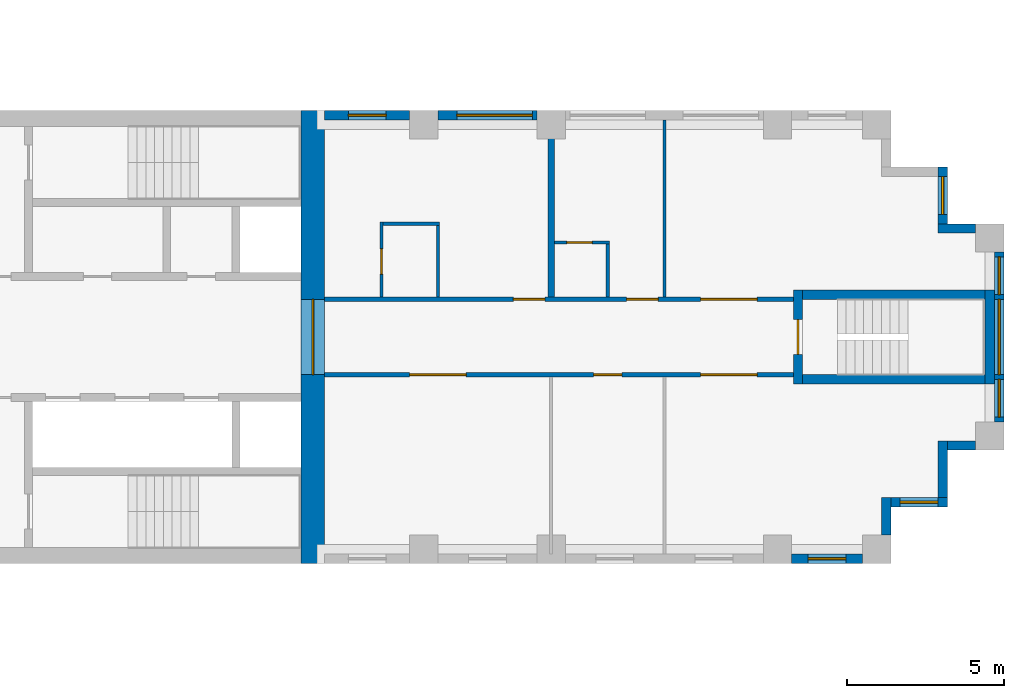
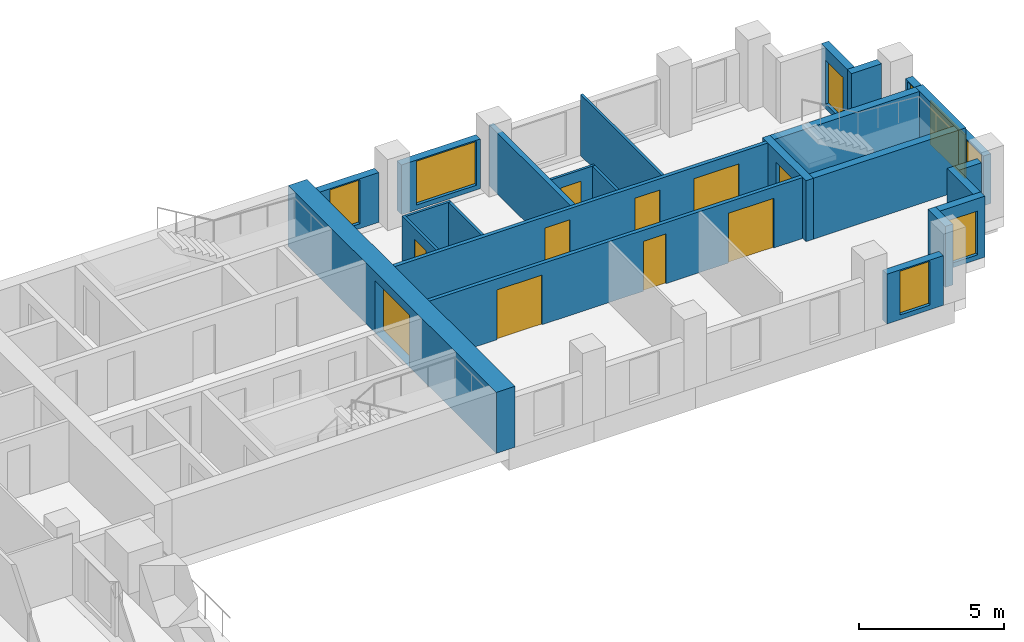
# One storey, part 10 of 13: 24 walls, 10 doors, 8 windows, 18 openings.
"""IFC4 building model written with IfcOpenShell, lengths in metres."""

from ifc_helpers import new_model, si_unit, direction, frame, frame_2d, origin, place, context, subcontext, project, spatial, rectangle, extrude, material, layer, layer_set, type_object, element, fill, save


model = new_model("IFC4")

# Units and contexts
model_context = context("Model", 3, precision=1e-05, world=origin(), true_north=direction((0.0, 1.0)))
body_context = subcontext(model_context, "Body", "Model", "MODEL_VIEW")
ifc_project = project(units=[si_unit("LENGTHUNIT", "METRE"), si_unit("AREAUNIT", "SQUARE_METRE"), si_unit("VOLUMEUNIT", "CUBIC_METRE"), si_unit("PLANEANGLEUNIT", "RADIAN"), si_unit("MASSUNIT", "GRAM", prefix="KILO")], contexts=[model_context])

# Site, building, storey
site_placement = place(None, origin())
site = spatial("IfcSite", under=ifc_project, at=site_placement, CompositionType="ELEMENT")
building_placement = place(site_placement, origin())
building = spatial("IfcBuilding", under=site, at=building_placement, Name="Fustian Cross Tower", CompositionType="ELEMENT")
storey_placement = place(building_placement, frame((0.0, 0.0, 87.89990234375)))
storey = spatial("IfcBuildingStorey", under=building, at=storey_placement, Name="L27", CompositionType="ELEMENT", Elevation=87.89990234375)

# Wall, openings, doors
ifc_material_1 = material(Name="Plasterboard on steel stud", Category="steel")
ifc_layer_1 = layer(ifc_material_1, 0.14990234375)
ifc_layer_set_1 = layer_set([ifc_layer_1], Name="Plasterboard on steel stud")
wall_type_1 = type_object("IfcWallType", Name="COMPARTMENT WALL 150 EI 60", PredefinedType="PARTITIONING", material=ifc_layer_set_1)
wall_1_placement = place(storey_placement, frame((21.60009765625, -1.199951171875, 0.0), z_axis=(0.0, 0.0, 1.0), x_axis=(1.0, 0.0, 0.0)))
wall_1 = element("IfcWall", 1, at=wall_1_placement, inside=storey, type_object=wall_type_1, Name="Partition 70", PredefinedType="PARTITIONING", context=body_context, shape_type="SweptSolid", body=[
    extrude(rectangle(XDim=14.89990234375, YDim=0.14990234375, at=frame_2d((7.449951171875, 0.0))), origin(), (0.0, 0.0, 1.0), 2.5751953125),
])
opening_1_placement = place(wall_1_placement, frame((2.699951171875, 0.0, 0.0)))
opening_1 = element("IfcOpeningElement", 2, at=opening_1_placement, cuts=wall_1, Name="Opening D13014", PredefinedType="OPENING", context=body_context, shape_type="SweptSolid", body=[
    extrude(rectangle(XDim=1.800048828125, YDim=2.10009765625, at=frame_2d((0.89990234375, 1.050048828125))), frame((0.0, 0.0849609375, 0.0), z_axis=(0.0, -1.0, 0.0), x_axis=(1.0, 0.0, 0.0)), (0.0, 0.0, 1.0), 0.169921875),
])
opening_2_placement = place(wall_1_placement, frame((8.550048828125, 0.0, 0.0)))
opening_2 = element("IfcOpeningElement", 3, at=opening_2_placement, cuts=wall_1, Name="Opening D13015", PredefinedType="OPENING", context=body_context, shape_type="SweptSolid", body=[
    extrude(rectangle(XDim=0.89990234375, YDim=2.10009765625, at=frame_2d((0.449951171875, 1.050048828125))), frame((0.0, 0.0849609375, 0.0), z_axis=(0.0, -1.0, 0.0), x_axis=(1.0, 0.0, 0.0)), (0.0, 0.0, 1.0), 0.169921875),
])
opening_3_placement = place(wall_1_placement, frame((11.949951171875, 0.0, 0.0)))
opening_3 = element("IfcOpeningElement", 4, at=opening_3_placement, cuts=wall_1, Name="Opening D13016", PredefinedType="OPENING", context=body_context, shape_type="SweptSolid", body=[
    extrude(rectangle(XDim=1.800048828125, YDim=2.10009765625, at=frame_2d((0.89990234375, 1.050048828125))), frame((0.0, 0.0849609375, 0.0), z_axis=(0.0, -1.0, 0.0), x_axis=(1.0, 0.0, 0.0)), (0.0, 0.0, 1.0), 0.169921875),
])
ifc_material_2 = material(Name="Timber fire door set", Category="wood")
door_type_1 = type_object("IfcDoorType", Name="FIRE DOUBLE DOOR 1800 FD30S", OperationType="DOUBLE_DOOR_DOUBLE_SWING", PredefinedType="DOOR", material=ifc_material_2)
door_1_placement = place(opening_1_placement, origin())
door_1 = element("IfcDoor", 5, at=door_1_placement, inside=storey, type_object=door_type_1, Name="Door D13014", OperationType="DOUBLE_DOOR_DOUBLE_SWING", OverallHeight=2.10009765625, OverallWidth=1.800048828125, PredefinedType="DOOR", context=body_context, shape_type="SweptSolid", body=[
    extrude(rectangle(XDim=1.800048828125, YDim=2.10009765625, at=frame_2d((0.89990234375, 1.050048828125))), frame((0.0, 0.02490234375, 0.0), z_axis=(0.0, -1.0, 0.0), x_axis=(1.0, 0.0, 0.0)), (0.0, 0.0, 1.0), 0.050048828125),
])
fill(opening_1, door_1)
door_2_placement = place(opening_3_placement, origin())
door_2 = element("IfcDoor", 6, at=door_2_placement, inside=storey, type_object=door_type_1, Name="Door D13016", OperationType="DOUBLE_DOOR_DOUBLE_SWING", OverallHeight=2.10009765625, OverallWidth=1.800048828125, PredefinedType="DOOR", context=body_context, shape_type="SweptSolid", body=[
    extrude(rectangle(XDim=1.800048828125, YDim=2.10009765625, at=frame_2d((0.89990234375, 1.050048828125))), frame((0.0, 0.02490234375, 0.0), z_axis=(0.0, -1.0, 0.0), x_axis=(1.0, 0.0, 0.0)), (0.0, 0.0, 1.0), 0.050048828125),
])
fill(opening_3, door_2)
ifc_material_3 = material(Name="Timber fire door set", Category="wood")
door_type_2 = type_object("IfcDoorType", Name="FIRE SWING DOOR 900 FD30S", OperationType="SINGLE_SWING_LEFT", PredefinedType="DOOR", material=ifc_material_3)
door_3_placement = place(opening_2_placement, frame((0.89990234375, 0.0, 0.0), z_axis=(0.0, 0.0, 1.0), x_axis=(-1.0, 0.0, 0.0)))
door_3 = element("IfcDoor", 7, at=door_3_placement, inside=storey, type_object=door_type_2, Name="Door D13015", OperationType="SINGLE_SWING_RIGHT", OverallHeight=2.10009765625, OverallWidth=0.89990234375, PredefinedType="DOOR", context=body_context, shape_type="SweptSolid", body=[
    extrude(rectangle(XDim=0.89990234375, YDim=2.10009765625, at=frame_2d((0.449951171875, 1.050048828125))), frame((0.0, 0.02490234375, 0.0), z_axis=(0.0, -1.0, 0.0), x_axis=(1.0, 0.0, 0.0)), (0.0, 0.0, 1.0), 0.050048828125),
])
fill(opening_2, door_3)

wall_2_placement = place(storey_placement, frame((21.60009765625, 1.199951171875, 0.0), z_axis=(0.0, 0.0, 1.0), x_axis=(1.0, 0.0, 0.0)))
wall_2 = element("IfcWall", 8, at=wall_2_placement, inside=storey, type_object=wall_type_1, Name="Partition 71", PredefinedType="PARTITIONING", context=body_context, shape_type="SweptSolid", body=[
    extrude(rectangle(XDim=14.89990234375, YDim=0.14990234375, at=frame_2d((7.449951171875, 0.0))), origin(), (0.0, 0.0, 1.0), 2.5751953125),
])
opening_4_placement = place(wall_2_placement, frame((6.0, 0.0, 0.0)))
opening_4 = element("IfcOpeningElement", 9, at=opening_4_placement, cuts=wall_2, Name="Opening D13010", PredefinedType="OPENING", context=body_context, shape_type="SweptSolid", body=[
    extrude(rectangle(XDim=1.0, YDim=2.10009765625, at=frame_2d((0.5, 1.050048828125))), frame((0.0, 0.0849609375, 0.0), z_axis=(0.0, -1.0, 0.0), x_axis=(1.0, 0.0, 0.0)), (0.0, 0.0, 1.0), 0.169921875),
])
opening_5_placement = place(wall_2_placement, frame((9.60009765625, 0.0, 0.0)))
opening_5 = element("IfcOpeningElement", 10, at=opening_5_placement, cuts=wall_2, Name="Opening D13012", PredefinedType="OPENING", context=body_context, shape_type="SweptSolid", body=[
    extrude(rectangle(XDim=1.0, YDim=2.10009765625, at=frame_2d((0.5, 1.050048828125))), frame((0.0, 0.0849609375, 0.0), z_axis=(0.0, -1.0, 0.0), x_axis=(1.0, 0.0, 0.0)), (0.0, 0.0, 1.0), 0.169921875),
])
opening_6_placement = place(wall_2_placement, frame((11.949951171875, 0.0, 0.0)))
opening_6 = element("IfcOpeningElement", 11, at=opening_6_placement, cuts=wall_2, Name="Opening D13013", PredefinedType="OPENING", context=body_context, shape_type="SweptSolid", body=[
    extrude(rectangle(XDim=1.800048828125, YDim=2.10009765625, at=frame_2d((0.89990234375, 1.050048828125))), frame((0.0, 0.0849609375, 0.0), z_axis=(0.0, -1.0, 0.0), x_axis=(1.0, 0.0, 0.0)), (0.0, 0.0, 1.0), 0.169921875),
])
door_4_placement = place(opening_6_placement, frame((1.800048828125, 0.0, 0.0), z_axis=(0.0, 0.0, 1.0), x_axis=(-1.0, 0.0, 0.0)))
door_4 = element("IfcDoor", 12, at=door_4_placement, inside=storey, type_object=door_type_1, Name="Door D13013", OperationType="DOUBLE_DOOR_DOUBLE_SWING", OverallHeight=2.10009765625, OverallWidth=1.800048828125, PredefinedType="DOOR", context=body_context, shape_type="SweptSolid", body=[
    extrude(rectangle(XDim=1.800048828125, YDim=2.10009765625, at=frame_2d((0.89990234375, 1.050048828125))), frame((0.0, 0.02490234375, 0.0), z_axis=(0.0, -1.0, 0.0), x_axis=(1.0, 0.0, 0.0)), (0.0, 0.0, 1.0), 0.050048828125),
])
fill(opening_6, door_4)
ifc_material_4 = material(Name="Timber fire door set", Category="wood")
door_type_3 = type_object("IfcDoorType", Name="FIRE SWING DOOR 1000 FD30S", OperationType="SINGLE_SWING_LEFT", PredefinedType="DOOR", material=ifc_material_4)
door_5_placement = place(opening_4_placement, origin())
door_5 = element("IfcDoor", 13, at=door_5_placement, inside=storey, type_object=door_type_3, Name="Door D13010", OperationType="SINGLE_SWING_RIGHT", OverallHeight=2.10009765625, OverallWidth=1.0, PredefinedType="DOOR", context=body_context, shape_type="SweptSolid", body=[
    extrude(rectangle(XDim=1.0, YDim=2.10009765625, at=frame_2d((0.5, 1.050048828125))), frame((0.0, 0.02490234375, 0.0), z_axis=(0.0, -1.0, 0.0), x_axis=(1.0, 0.0, 0.0)), (0.0, 0.0, 1.0), 0.050048828125),
])
fill(opening_4, door_5)
door_6_placement = place(opening_5_placement, origin())
door_6 = element("IfcDoor", 14, at=door_6_placement, inside=storey, type_object=door_type_3, Name="Door D13012", OperationType="SINGLE_SWING_RIGHT", OverallHeight=2.10009765625, OverallWidth=1.0, PredefinedType="DOOR", context=body_context, shape_type="SweptSolid", body=[
    extrude(rectangle(XDim=1.0, YDim=2.10009765625, at=frame_2d((0.5, 1.050048828125))), frame((0.0, 0.02490234375, 0.0), z_axis=(0.0, -1.0, 0.0), x_axis=(1.0, 0.0, 0.0)), (0.0, 0.0, 1.0), 0.050048828125),
])
fill(opening_5, door_6)

# Wall, opening, door
ifc_material_5 = material(Name="Concrete C70/85", Category="concrete")
ifc_layer_2 = layer(ifc_material_5, 0.75)
ifc_layer_set_2 = layer_set([ifc_layer_2], Name="Concrete C70/85")
wall_type_2 = type_object("IfcWallType", Name="CORE END WALL 750 C70/85", PredefinedType="SHEAR", material=ifc_layer_set_2)
wall_3_placement = place(storey_placement, frame((21.22509765625, -7.199951171875, 0.0), z_axis=(0.0, 0.0, 1.0), x_axis=(0.0, 1.0, 0.0)))
wall_3 = element("IfcWall", 15, at=wall_3_placement, inside=storey, type_object=wall_type_2, Name="Core end wall", PredefinedType="SHEAR", context=body_context, shape_type="SweptSolid", body=[
    extrude(rectangle(XDim=14.39990234375, YDim=0.75, at=frame_2d((7.199951171875, 0.0))), origin(), (0.0, 0.0, 1.0), 2.5751953125),
])
opening_7_placement = place(wall_3_placement, frame((6.0, 0.0, 0.0)))
opening_7 = element("IfcOpeningElement", 16, at=opening_7_placement, cuts=wall_3, Name="Opening CD-11-13", PredefinedType="OPENING", context=body_context, shape_type="SweptSolid", body=[
    extrude(rectangle(XDim=2.39990234375, YDim=2.199951171875, at=frame_2d((1.199951171875, 1.10009765625))), frame((0.0, 0.385009765625, 0.0), z_axis=(0.0, -1.0, 0.0), x_axis=(1.0, 0.0, 0.0)), (0.0, 0.0, 1.0), 0.77001953125),
])
ifc_material_6 = material(Name="Steel", Category="steel")
door_type_4 = type_object("IfcDoorType", Name="FIRE DOOR FD30S DOUBLE 2400X2200", OperationType="DOUBLE_DOOR_DOUBLE_SWING", PredefinedType="DOOR", material=ifc_material_6)
door_7_placement = place(opening_7_placement, origin())
door_7 = element("IfcDoor", 17, at=door_7_placement, inside=storey, type_object=door_type_4, Name="Core door CD-11-13", OperationType="DOUBLE_DOOR_DOUBLE_SWING", OverallHeight=2.199951171875, OverallWidth=2.39990234375, PredefinedType="DOOR", context=body_context, shape_type="SweptSolid", body=[
    extrude(rectangle(XDim=2.39990234375, YDim=2.199951171875, at=frame_2d((1.199951171875, 1.10009765625))), frame((0.0, 0.02490234375, 0.0), z_axis=(0.0, -1.0, 0.0), x_axis=(1.0, 0.0, 0.0)), (0.0, 0.0, 1.0), 0.050048828125),
])
fill(opening_7, door_7)

ifc_material_7 = material(Name="Plasterboard on steel stud", Category="steel")
ifc_layer_3 = layer(ifc_material_7, 0.10009765625)
ifc_layer_set_3 = layer_set([ifc_layer_3], Name="Plasterboard on steel stud")
wall_type_3 = type_object("IfcWallType", Name="PARTITION 100 STUD", PredefinedType="PARTITIONING", material=ifc_layer_set_3)
wall_4_placement = place(storey_placement, frame((23.39990234375, 1.27490234375, 0.0), z_axis=(0.0, 0.0, 1.0), x_axis=(0.0, 1.0, 0.0)))
wall_4 = element("IfcWall", 18, at=wall_4_placement, inside=storey, type_object=wall_type_3, Name="Partition 72", PredefinedType="PARTITIONING", context=body_context, shape_type="SweptSolid", body=[
    extrude(rectangle(XDim=2.375, YDim=0.10009765625, at=frame_2d((1.1875, 0.0))), origin(), (0.0, 0.0, 1.0), 2.5751953125),
])
opening_8_placement = place(wall_4_placement, frame((0.72509765625, 0.0, 0.0)))
opening_8 = element("IfcOpeningElement", 19, at=opening_8_placement, cuts=wall_4, Name="Opening D13009", PredefinedType="OPENING", context=body_context, shape_type="SweptSolid", body=[
    extrude(rectangle(XDim=0.800048828125, YDim=2.10009765625, at=frame_2d((0.39990234375, 1.050048828125))), frame((0.0, 0.06005859375, 0.0), z_axis=(0.0, -1.0, 0.0), x_axis=(1.0, 0.0, 0.0)), (0.0, 0.0, 1.0), 0.1201171875),
])
ifc_material_8 = material(Name="Painted timber", Category="wood")
door_type_5 = type_object("IfcDoorType", Name="SWING DOOR 800", OperationType="SINGLE_SWING_LEFT", PredefinedType="DOOR", material=ifc_material_8)
door_8_placement = place(opening_8_placement, frame((0.800048828125, 0.0, 0.0), z_axis=(0.0, 0.0, 1.0), x_axis=(-1.0, 0.0, 0.0)))
door_8 = element("IfcDoor", 20, at=door_8_placement, inside=storey, type_object=door_type_5, Name="Door D13009", OperationType="SINGLE_SWING_RIGHT", OverallHeight=2.10009765625, OverallWidth=0.800048828125, PredefinedType="DOOR", context=body_context, shape_type="SweptSolid", body=[
    extrude(rectangle(XDim=0.800048828125, YDim=2.10009765625, at=frame_2d((0.39990234375, 1.050048828125))), frame((0.0, 0.02490234375, 0.0), z_axis=(0.0, -1.0, 0.0), x_axis=(1.0, 0.0, 0.0)), (0.0, 0.0, 1.0), 0.050048828125),
])
fill(opening_8, door_8)

# Walls
wall_5_placement = place(storey_placement, frame((23.449951171875, 3.60009765625, 0.0), z_axis=(0.0, 0.0, 1.0), x_axis=(1.0, 0.0, 0.0)))
element("IfcWall", 21, at=wall_5_placement, inside=storey, type_object=wall_type_3, Name="Partition 73", PredefinedType="PARTITIONING", context=body_context, shape_type="SweptSolid", body=[
    extrude(rectangle(XDim=1.800048828125, YDim=0.10009765625, at=frame_2d((0.89990234375, 0.0))), origin(), (0.0, 0.0, 1.0), 2.5751953125),
])
wall_6_placement = place(storey_placement, frame((25.199951171875, 1.27490234375, 0.0), z_axis=(0.0, 0.0, 1.0), x_axis=(0.0, 1.0, 0.0)))
element("IfcWall", 22, at=wall_6_placement, inside=storey, type_object=wall_type_3, Name="Partition 74", PredefinedType="PARTITIONING", context=body_context, shape_type="SweptSolid", body=[
    extrude(rectangle(XDim=2.275146484375, YDim=0.10009765625, at=frame_2d((1.1376953125, 0.0))), origin(), (0.0, 0.0, 1.0), 2.5751953125),
])

# Wall, opening, door
wall_7_placement = place(storey_placement, frame((28.89990234375, 3.0, 0.0), z_axis=(0.0, 0.0, 1.0), x_axis=(1.0, 0.0, 0.0)))
wall_7 = element("IfcWall", 23, at=wall_7_placement, inside=storey, type_object=wall_type_3, Name="Partition 77", PredefinedType="PARTITIONING", context=body_context, shape_type="SweptSolid", body=[
    extrude(rectangle(XDim=1.75, YDim=0.10009765625, at=frame_2d((0.875, 0.0))), origin(), (0.0, 0.0, 1.0), 2.5751953125),
])
opening_9_placement = place(wall_7_placement, frame((0.39990234375, 0.0, 0.0)))
opening_9 = element("IfcOpeningElement", 24, at=opening_9_placement, cuts=wall_7, Name="Opening D13011", PredefinedType="OPENING", context=body_context, shape_type="SweptSolid", body=[
    extrude(rectangle(XDim=0.800048828125, YDim=2.10009765625, at=frame_2d((0.39990234375, 1.050048828125))), frame((0.0, 0.06005859375, 0.0), z_axis=(0.0, -1.0, 0.0), x_axis=(1.0, 0.0, 0.0)), (0.0, 0.0, 1.0), 0.1201171875),
])
door_9_placement = place(opening_9_placement, frame((0.800048828125, 0.0, 0.0), z_axis=(0.0, 0.0, 1.0), x_axis=(-1.0, 0.0, 0.0)))
door_9 = element("IfcDoor", 25, at=door_9_placement, inside=storey, type_object=door_type_5, Name="Door D13011", OperationType="SINGLE_SWING_LEFT", OverallHeight=2.10009765625, OverallWidth=0.800048828125, PredefinedType="DOOR", context=body_context, shape_type="SweptSolid", body=[
    extrude(rectangle(XDim=0.800048828125, YDim=2.10009765625, at=frame_2d((0.39990234375, 1.050048828125))), frame((0.0, 0.02490234375, 0.0), z_axis=(0.0, -1.0, 0.0), x_axis=(1.0, 0.0, 0.0)), (0.0, 0.0, 1.0), 0.050048828125),
])
fill(opening_9, door_9)

# Walls
wall_8_placement = place(storey_placement, frame((30.60009765625, 1.27490234375, 0.0), z_axis=(0.0, 0.0, 1.0), x_axis=(0.0, 1.0, 0.0)))
element("IfcWall", 26, at=wall_8_placement, inside=storey, type_object=wall_type_3, Name="Partition 78", PredefinedType="PARTITIONING", context=body_context, shape_type="SweptSolid", body=[
    extrude(rectangle(XDim=1.675048828125, YDim=0.10009765625, at=frame_2d((0.83740234375, 0.0))), origin(), (0.0, 0.0, 1.0), 2.5751953125),
])
wall_9_placement = place(storey_placement, frame((32.39990234375, 1.27490234375, 0.0), z_axis=(0.0, 0.0, 1.0), x_axis=(0.0, 1.0, 0.0)))
element("IfcWall", 27, at=wall_9_placement, inside=storey, type_object=wall_type_3, Name="Partition 80", PredefinedType="PARTITIONING", context=body_context, shape_type="SweptSolid", body=[
    extrude(rectangle(XDim=5.625, YDim=0.10009765625, at=frame_2d((2.8125, 0.0))), origin(), (0.0, 0.0, 1.0), 2.5751953125),
])
ifc_material_9 = material(Name="Plasterboard on steel stud", Category="steel")
ifc_layer_4 = layer(ifc_material_9, 0.199951171875)
ifc_layer_set_4 = layer_set([ifc_layer_4], Name="Plasterboard on steel stud")
wall_type_4 = type_object("IfcWallType", Name="PARTY WALL 200 EI 60", PredefinedType="PARTITIONING", material=ifc_layer_set_4)
wall_10_placement = place(storey_placement, frame((28.800048828125, 1.27490234375, 0.0), z_axis=(0.0, 0.0, 1.0), x_axis=(0.0, 1.0, 0.0)))
element("IfcWall", 28, at=wall_10_placement, inside=storey, type_object=wall_type_4, Name="Partition 76", PredefinedType="PARTITIONING", context=body_context, shape_type="SweptSolid", body=[
    extrude(rectangle(XDim=5.625, YDim=0.199951171875, at=frame_2d((2.8125, 0.0))), origin(), (0.0, 0.0, 1.0), 2.5751953125),
])

# Wall, opening, door
ifc_material_10 = material(Name="Concrete C50/60", Category="concrete")
ifc_layer_5 = layer(ifc_material_10, 0.300048828125)
ifc_layer_set_5 = layer_set([ifc_layer_5], Name="Concrete C50/60")
wall_type_5 = type_object("IfcWallType", Name="STAIR ENCLOSURE WALL 300 C50/60", PredefinedType="SHEAR", material=ifc_layer_set_5)
wall_11_placement = place(storey_placement, frame((36.64990234375, -1.5, 0.0), z_axis=(0.0, 0.0, 1.0), x_axis=(0.0, 1.0, 0.0)))
wall_11 = element("IfcWall", 29, at=wall_11_placement, inside=storey, type_object=wall_type_5, Name="Stair enclosure wall", PredefinedType="SHEAR", context=body_context, shape_type="SweptSolid", body=[
    extrude(rectangle(XDim=3.0, YDim=0.300048828125, at=frame_2d((1.5, 0.0))), origin(), (0.0, 0.0, 1.0), 2.5751953125),
])
opening_10_placement = place(wall_11_placement, frame((0.949951171875, 0.0, 0.0)))
opening_10 = element("IfcOpeningElement", 30, at=opening_10_placement, cuts=wall_11, Name="Opening CD-11-32", PredefinedType="OPENING", context=body_context, shape_type="SweptSolid", body=[
    extrude(rectangle(XDim=1.10009765625, YDim=2.10009765625, at=frame_2d((0.550048828125, 1.050048828125))), frame((0.0, 0.159912109375, 0.0), z_axis=(0.0, -1.0, 0.0), x_axis=(1.0, 0.0, 0.0)), (0.0, 0.0, 1.0), 0.320068359375),
])
ifc_material_11 = material(Name="Steel", Category="steel")
door_type_6 = type_object("IfcDoorType", Name="FIRE DOOR FD60S 1100X2100", OperationType="SINGLE_SWING_LEFT", PredefinedType="DOOR", material=ifc_material_11)
door_10_placement = place(opening_10_placement, frame((1.10009765625, 0.0, 0.0), z_axis=(0.0, 0.0, 1.0), x_axis=(-1.0, 0.0, 0.0)))
door_10 = element("IfcDoor", 31, at=door_10_placement, inside=storey, type_object=door_type_6, Name="Core door CD-11-32", OperationType="SINGLE_SWING_RIGHT", OverallHeight=2.10009765625, OverallWidth=1.10009765625, PredefinedType="DOOR", context=body_context, shape_type="SweptSolid", body=[
    extrude(rectangle(XDim=1.10009765625, YDim=2.10009765625, at=frame_2d((0.550048828125, 1.050048828125))), frame((0.0, 0.02490234375, 0.0), z_axis=(0.0, -1.0, 0.0), x_axis=(1.0, 0.0, 0.0)), (0.0, 0.0, 1.0), 0.050048828125),
])
fill(opening_10, door_10)

# Walls
wall_12_placement = place(storey_placement, frame((42.75, -1.5, 0.0), z_axis=(0.0, 0.0, 1.0), x_axis=(0.0, 1.0, 0.0)))
element("IfcWall", 32, at=wall_12_placement, inside=storey, type_object=wall_type_5, Name="Stair enclosure wall", PredefinedType="SHEAR", context=body_context, shape_type="SweptSolid", body=[
    extrude(rectangle(XDim=3.0, YDim=0.300048828125, at=frame_2d((1.5, 0.0))), origin(), (0.0, 0.0, 1.0), 2.5751953125),
])
for number, where, z_axis, x_axis, name in (
    (33, (36.800048828125, -1.35009765625, 0.0), (0.0, 0.0, 1.0), (1.0, 0.0, 0.0), "Stair enclosure wall"),
    (34, (36.800048828125, 1.35009765625, 0.0), (0.0, 0.0, 1.0), (1.0, 0.0, 0.0), "Stair enclosure wall"),
):
    element("IfcWall", number, at=place(storey_placement, frame(where, z_axis=z_axis, x_axis=x_axis)), inside=storey, type_object=wall_type_5, Name=name, PredefinedType="SHEAR", context=body_context, shape_type="SweptSolid", body=[
        extrude(rectangle(XDim=5.800048828125, YDim=0.300048828125, at=frame_2d((2.89990234375, 0.0))), origin(), (0.0, 0.0, 1.0), 2.5751953125),
    ])

# Wall, opening, window
ifc_material_12 = material(Name="Dark aluminium cladding on insulated backing wall", Category="aluminium")
ifc_layer_6 = layer(ifc_material_12, 0.300048828125)
ifc_layer_set_6 = layer_set([ifc_layer_6], Name="Dark aluminium cladding on insulated backing wall")
wall_type_6 = type_object("IfcWallType", Name="XW1 EXTERNAL WALL 300", PredefinedType="SOLIDWALL", material=ifc_layer_set_6)
wall_13_placement = place(storey_placement, frame((36.449951171875, -7.050048828125, 0.0), z_axis=(0.0, 0.0, 1.0), x_axis=(1.0, 0.0, 0.0)))
wall_13 = element("IfcWall", 35, at=wall_13_placement, inside=storey, type_object=wall_type_6, Name="External wall", PredefinedType="SOLIDWALL", context=body_context, shape_type="SweptSolid", body=[
    extrude(rectangle(XDim=2.25, YDim=0.300048828125, at=frame_2d((1.125, 0.0))), origin(), (0.0, 0.0, 1.0), 2.10009765625),
])
opening_11_placement = place(wall_13_placement, frame((0.52490234375, 0.0, 0.199951171875)))
opening_11 = element("IfcOpeningElement", 36, at=opening_11_placement, cuts=wall_13, Name="Opening WN3", PredefinedType="OPENING", context=body_context, shape_type="SweptSolid", body=[
    extrude(rectangle(XDim=1.199951171875, YDim=1.85009765625, at=frame_2d((0.60009765625, 0.925048828125))), frame((0.0, 0.159912109375, 0.0), z_axis=(0.0, -1.0, 0.0), x_axis=(1.0, 0.0, 0.0)), (0.0, 0.0, 1.0), 0.320068359375),
])
ifc_material_13 = material(Name="Dark anodised aluminium and double glazing", Category="aluminium")
window_type_1 = type_object("IfcWindowType", Name="WN3 WINDOW 1200X1850", PartitioningType="SINGLE_PANEL", PredefinedType="WINDOW", material=ifc_material_13)
window_1_placement = place(opening_11_placement, origin())
window_1 = element("IfcWindow", 37, at=window_1_placement, inside=storey, type_object=window_type_1, Name="Window", OverallHeight=1.85009765625, OverallWidth=1.199951171875, PartitioningType="SINGLE_PANEL", PredefinedType="WINDOW", context=body_context, shape_type="SweptSolid", body=[
    extrude(rectangle(XDim=1.199951171875, YDim=1.85009765625, at=frame_2d((0.60009765625, 0.925048828125))), frame((0.0, 0.030029296875, 0.0), z_axis=(0.0, -1.0, 0.0), x_axis=(1.0, 0.0, 0.0)), (0.0, 0.0, 1.0), 0.06005859375),
])
fill(opening_11, window_1)

# Wall
wall_14_placement = place(storey_placement, frame((39.449951171875, -6.300048828125, 0.0), z_axis=(0.0, 0.0, 1.0), x_axis=(0.0, 1.0, 0.0)))
element("IfcWall", 38, at=wall_14_placement, inside=storey, type_object=wall_type_6, Name="External wall", PredefinedType="SOLIDWALL", context=body_context, shape_type="SweptSolid", body=[
    extrude(rectangle(XDim=1.199951171875, YDim=0.300048828125, at=frame_2d((0.60009765625, 0.0))), origin(), (0.0, 0.0, 1.0), 2.5751953125),
])

# Wall, opening, window
wall_15_placement = place(storey_placement, frame((39.60009765625, -5.25, 0.0), z_axis=(0.0, 0.0, 1.0), x_axis=(1.0, 0.0, 0.0)))
wall_15 = element("IfcWall", 39, at=wall_15_placement, inside=storey, type_object=wall_type_6, Name="External wall", PredefinedType="SOLIDWALL", context=body_context, shape_type="SweptSolid", body=[
    extrude(rectangle(XDim=1.7998046875, YDim=0.300048828125, at=frame_2d((0.89990234375, 0.0))), origin(), (0.0, 0.0, 1.0), 2.5751953125),
])
opening_12_placement = place(wall_15_placement, frame((0.300048828125, 0.0, 0.199951171875)))
opening_12 = element("IfcOpeningElement", 40, at=opening_12_placement, cuts=wall_15, Name="Opening WN3", PredefinedType="OPENING", context=body_context, shape_type="SweptSolid", body=[
    extrude(rectangle(XDim=1.199951171875, YDim=1.85009765625, at=frame_2d((0.60009765625, 0.925048828125))), frame((0.0, 0.159912109375, 0.0), z_axis=(0.0, -1.0, 0.0), x_axis=(1.0, 0.0, 0.0)), (0.0, 0.0, 1.0), 0.320068359375),
])
window_2_placement = place(opening_12_placement, origin())
window_2 = element("IfcWindow", 41, at=window_2_placement, inside=storey, type_object=window_type_1, Name="Window", OverallHeight=1.85009765625, OverallWidth=1.199951171875, PartitioningType="SINGLE_PANEL", PredefinedType="WINDOW", context=body_context, shape_type="SweptSolid", body=[
    extrude(rectangle(XDim=1.199951171875, YDim=1.85009765625, at=frame_2d((0.60009765625, 0.925048828125))), frame((0.0, 0.030029296875, 0.0), z_axis=(0.0, -1.0, 0.0), x_axis=(1.0, 0.0, 0.0)), (0.0, 0.0, 1.0), 0.06005859375),
])
fill(opening_12, window_2)

# Walls
wall_16_placement = place(storey_placement, frame((41.25, -5.10009765625, 0.0), z_axis=(0.0, 0.0, 1.0), x_axis=(0.0, 1.0, 0.0)))
element("IfcWall", 42, at=wall_16_placement, inside=storey, type_object=wall_type_6, Name="External wall", PredefinedType="SOLIDWALL", context=body_context, shape_type="SweptSolid", body=[
    extrude(rectangle(XDim=1.800048828125, YDim=0.300048828125, at=frame_2d((0.89990234375, 0.0))), origin(), (0.0, 0.0, 1.0), 2.5751953125),
])
wall_17_placement = place(storey_placement, frame((41.39990234375, -3.449951171875, 0.0), z_axis=(0.0, 0.0, 1.0), x_axis=(1.0, 0.0, 0.0)))
element("IfcWall", 43, at=wall_17_placement, inside=storey, type_object=wall_type_6, Name="External wall", PredefinedType="SOLIDWALL", context=body_context, shape_type="SweptSolid", body=[
    extrude(rectangle(XDim=0.900146484375, YDim=0.300048828125, at=frame_2d((0.4501953125, 0.0))), origin(), (0.0, 0.0, 1.0), 2.5751953125),
])

# Wall, openings, windows
wall_18_placement = place(storey_placement, frame((43.050048828125, -2.699951171875, 0.0), z_axis=(0.0, 0.0, 1.0), x_axis=(0.0, 1.0, 0.0)))
wall_18 = element("IfcWall", 44, at=wall_18_placement, inside=storey, type_object=wall_type_6, Name="External wall", PredefinedType="SOLIDWALL", context=body_context, shape_type="SweptSolid", body=[
    extrude(rectangle(XDim=5.39990234375, YDim=0.300048828125, at=frame_2d((2.699951171875, 0.0))), origin(), (0.0, 0.0, 1.0), 2.10009765625),
])
opening_13_placement = place(wall_18_placement, frame((1.5, 0.0, 0.199951171875)))
opening_13 = element("IfcOpeningElement", 45, at=opening_13_placement, cuts=wall_18, Name="Opening WN1", PredefinedType="OPENING", context=body_context, shape_type="SweptSolid", body=[
    extrude(rectangle(XDim=2.39990234375, YDim=1.85009765625, at=frame_2d((1.199951171875, 0.925048828125))), frame((0.0, 0.159912109375, 0.0), z_axis=(0.0, -1.0, 0.0), x_axis=(1.0, 0.0, 0.0)), (0.0, 0.0, 1.0), 0.320068359375),
])
opening_14_placement = place(wall_18_placement, frame((0.14990234375, 0.0, 0.199951171875)))
opening_14 = element("IfcOpeningElement", 46, at=opening_14_placement, cuts=wall_18, Name="Opening WN3", PredefinedType="OPENING", context=body_context, shape_type="SweptSolid", body=[
    extrude(rectangle(XDim=1.199951171875, YDim=1.85009765625, at=frame_2d((0.60009765625, 0.925048828125))), frame((0.0, 0.159912109375, 0.0), z_axis=(0.0, -1.0, 0.0), x_axis=(1.0, 0.0, 0.0)), (0.0, 0.0, 1.0), 0.320068359375),
])
opening_15_placement = place(wall_18_placement, frame((4.050048828125, 0.0, 0.199951171875)))
opening_15 = element("IfcOpeningElement", 47, at=opening_15_placement, cuts=wall_18, Name="Opening WN3", PredefinedType="OPENING", context=body_context, shape_type="SweptSolid", body=[
    extrude(rectangle(XDim=1.199951171875, YDim=1.85009765625, at=frame_2d((0.60009765625, 0.925048828125))), frame((0.0, 0.159912109375, 0.0), z_axis=(0.0, -1.0, 0.0), x_axis=(1.0, 0.0, 0.0)), (0.0, 0.0, 1.0), 0.320068359375),
])
ifc_material_14 = material(Name="Dark anodised aluminium and double glazing", Category="aluminium")
window_type_2 = type_object("IfcWindowType", Name="WN1 WINDOW 2400X1850", PartitioningType="SINGLE_PANEL", PredefinedType="WINDOW", material=ifc_material_14)
window_3_placement = place(opening_13_placement, origin())
window_3 = element("IfcWindow", 48, at=window_3_placement, inside=storey, type_object=window_type_2, Name="Window", OverallHeight=1.85009765625, OverallWidth=2.39990234375, PartitioningType="SINGLE_PANEL", PredefinedType="WINDOW", context=body_context, shape_type="SweptSolid", body=[
    extrude(rectangle(XDim=2.39990234375, YDim=1.85009765625, at=frame_2d((1.199951171875, 0.925048828125))), frame((0.0, 0.030029296875, 0.0), z_axis=(0.0, -1.0, 0.0), x_axis=(1.0, 0.0, 0.0)), (0.0, 0.0, 1.0), 0.06005859375),
])
fill(opening_13, window_3)
window_4_placement = place(opening_14_placement, origin())
window_4 = element("IfcWindow", 49, at=window_4_placement, inside=storey, type_object=window_type_1, Name="Window", OverallHeight=1.85009765625, OverallWidth=1.199951171875, PartitioningType="SINGLE_PANEL", PredefinedType="WINDOW", context=body_context, shape_type="SweptSolid", body=[
    extrude(rectangle(XDim=1.199951171875, YDim=1.85009765625, at=frame_2d((0.60009765625, 0.925048828125))), frame((0.0, 0.030029296875, 0.0), z_axis=(0.0, -1.0, 0.0), x_axis=(1.0, 0.0, 0.0)), (0.0, 0.0, 1.0), 0.06005859375),
])
fill(opening_14, window_4)
window_5_placement = place(opening_15_placement, origin())
window_5 = element("IfcWindow", 50, at=window_5_placement, inside=storey, type_object=window_type_1, Name="Window", OverallHeight=1.85009765625, OverallWidth=1.199951171875, PartitioningType="SINGLE_PANEL", PredefinedType="WINDOW", context=body_context, shape_type="SweptSolid", body=[
    extrude(rectangle(XDim=1.199951171875, YDim=1.85009765625, at=frame_2d((0.60009765625, 0.925048828125))), frame((0.0, 0.030029296875, 0.0), z_axis=(0.0, -1.0, 0.0), x_axis=(1.0, 0.0, 0.0)), (0.0, 0.0, 1.0), 0.06005859375),
])
fill(opening_15, window_5)

# Wall
wall_19_placement = place(storey_placement, frame((42.300048828125, 3.449951171875, 0.0), z_axis=(0.0, 0.0, 1.0), x_axis=(-1.0, 0.0, 0.0)))
element("IfcWall", 51, at=wall_19_placement, inside=storey, type_object=wall_type_6, Name="External wall", PredefinedType="SOLIDWALL", context=body_context, shape_type="SweptSolid", body=[
    extrude(rectangle(XDim=1.199951171875, YDim=0.300048828125, at=frame_2d((0.60009765625, 0.0))), origin(), (0.0, 0.0, 1.0), 2.5751953125),
])

# Wall, opening, window
wall_20_placement = place(storey_placement, frame((41.25, 3.60009765625, 0.0), z_axis=(0.0, 0.0, 1.0), x_axis=(0.0, 1.0, 0.0)))
wall_20 = element("IfcWall", 52, at=wall_20_placement, inside=storey, type_object=wall_type_6, Name="External wall", PredefinedType="SOLIDWALL", context=body_context, shape_type="SweptSolid", body=[
    extrude(rectangle(XDim=1.7998046875, YDim=0.300048828125, at=frame_2d((0.89990234375, 0.0))), origin(), (0.0, 0.0, 1.0), 2.5751953125),
])
opening_16_placement = place(wall_20_placement, frame((0.300048828125, 0.0, 0.199951171875)))
opening_16 = element("IfcOpeningElement", 53, at=opening_16_placement, cuts=wall_20, Name="Opening WN3", PredefinedType="OPENING", context=body_context, shape_type="SweptSolid", body=[
    extrude(rectangle(XDim=1.199951171875, YDim=1.85009765625, at=frame_2d((0.60009765625, 0.925048828125))), frame((0.0, 0.159912109375, 0.0), z_axis=(0.0, -1.0, 0.0), x_axis=(1.0, 0.0, 0.0)), (0.0, 0.0, 1.0), 0.320068359375),
])
window_6_placement = place(opening_16_placement, origin())
window_6 = element("IfcWindow", 54, at=window_6_placement, inside=storey, type_object=window_type_1, Name="Window", OverallHeight=1.85009765625, OverallWidth=1.199951171875, PartitioningType="SINGLE_PANEL", PredefinedType="WINDOW", context=body_context, shape_type="SweptSolid", body=[
    extrude(rectangle(XDim=1.199951171875, YDim=1.85009765625, at=frame_2d((0.60009765625, 0.925048828125))), frame((0.0, 0.030029296875, 0.0), z_axis=(0.0, -1.0, 0.0), x_axis=(1.0, 0.0, 0.0)), (0.0, 0.0, 1.0), 0.06005859375),
])
fill(opening_16, window_6)

wall_21_placement = place(storey_placement, frame((28.35009765625, 7.050048828125, 0.0), z_axis=(0.0, 0.0, 1.0), x_axis=(-1.0, 0.0, 0.0)))
wall_21 = element("IfcWall", 55, at=wall_21_placement, inside=storey, type_object=wall_type_6, Name="External wall", PredefinedType="SOLIDWALL", context=body_context, shape_type="SweptSolid", body=[
    extrude(rectangle(XDim=3.150146484375, YDim=0.300048828125, at=frame_2d((1.5751953125, 0.0))), origin(), (0.0, 0.0, 1.0), 2.10009765625),
])
opening_17_placement = place(wall_21_placement, frame((0.14990234375, 0.0, 0.199951171875)))
opening_17 = element("IfcOpeningElement", 56, at=opening_17_placement, cuts=wall_21, Name="Opening WN1", PredefinedType="OPENING", context=body_context, shape_type="SweptSolid", body=[
    extrude(rectangle(XDim=2.39990234375, YDim=1.85009765625, at=frame_2d((1.199951171875, 0.925048828125))), frame((0.0, 0.159912109375, 0.0), z_axis=(0.0, -1.0, 0.0), x_axis=(1.0, 0.0, 0.0)), (0.0, 0.0, 1.0), 0.320068359375),
])
window_7_placement = place(opening_17_placement, origin())
window_7 = element("IfcWindow", 57, at=window_7_placement, inside=storey, type_object=window_type_2, Name="Window", OverallHeight=1.85009765625, OverallWidth=2.39990234375, PartitioningType="SINGLE_PANEL", PredefinedType="WINDOW", context=body_context, shape_type="SweptSolid", body=[
    extrude(rectangle(XDim=2.39990234375, YDim=1.85009765625, at=frame_2d((1.199951171875, 0.925048828125))), frame((0.0, 0.030029296875, 0.0), z_axis=(0.0, -1.0, 0.0), x_axis=(1.0, 0.0, 0.0)), (0.0, 0.0, 1.0), 0.06005859375),
])
fill(opening_17, window_7)

wall_22_placement = place(storey_placement, frame((24.300048828125, 7.050048828125, 0.0), z_axis=(0.0, 0.0, 1.0), x_axis=(-1.0, 0.0, 0.0)))
wall_22 = element("IfcWall", 58, at=wall_22_placement, inside=storey, type_object=wall_type_6, Name="External wall", PredefinedType="SOLIDWALL", context=body_context, shape_type="SweptSolid", body=[
    extrude(rectangle(XDim=2.699951171875, YDim=0.300048828125, at=frame_2d((1.35009765625, 0.0))), origin(), (0.0, 0.0, 1.0), 2.10009765625),
])
opening_18_placement = place(wall_22_placement, frame((0.75, 0.0, 0.199951171875)))
opening_18 = element("IfcOpeningElement", 59, at=opening_18_placement, cuts=wall_22, Name="Opening WN3", PredefinedType="OPENING", context=body_context, shape_type="SweptSolid", body=[
    extrude(rectangle(XDim=1.199951171875, YDim=1.85009765625, at=frame_2d((0.60009765625, 0.925048828125))), frame((0.0, 0.159912109375, 0.0), z_axis=(0.0, -1.0, 0.0), x_axis=(1.0, 0.0, 0.0)), (0.0, 0.0, 1.0), 0.320068359375),
])
window_8_placement = place(opening_18_placement, origin())
window_8 = element("IfcWindow", 60, at=window_8_placement, inside=storey, type_object=window_type_1, Name="Window", OverallHeight=1.85009765625, OverallWidth=1.199951171875, PartitioningType="SINGLE_PANEL", PredefinedType="WINDOW", context=body_context, shape_type="SweptSolid", body=[
    extrude(rectangle(XDim=1.199951171875, YDim=1.85009765625, at=frame_2d((0.60009765625, 0.925048828125))), frame((0.0, 0.030029296875, 0.0), z_axis=(0.0, -1.0, 0.0), x_axis=(1.0, 0.0, 0.0)), (0.0, 0.0, 1.0), 0.06005859375),
])
fill(opening_18, window_8)

save(model, "model.ifc")
